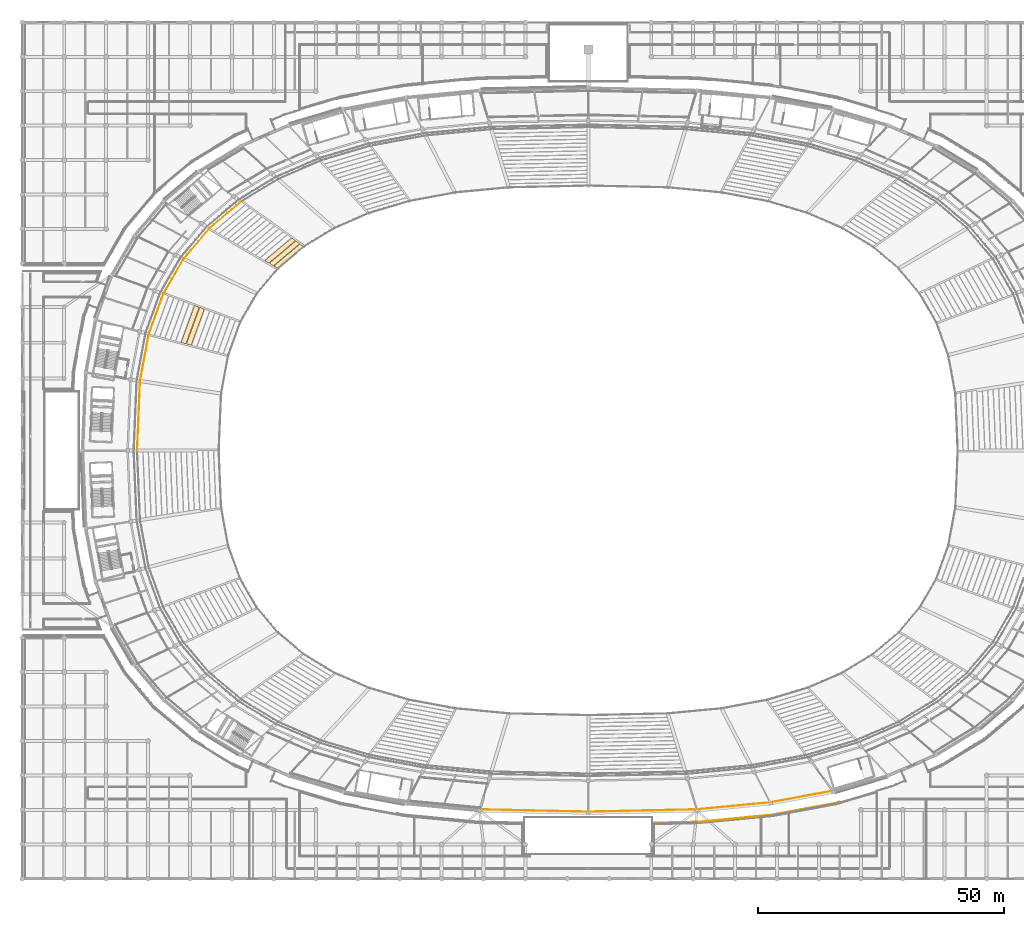
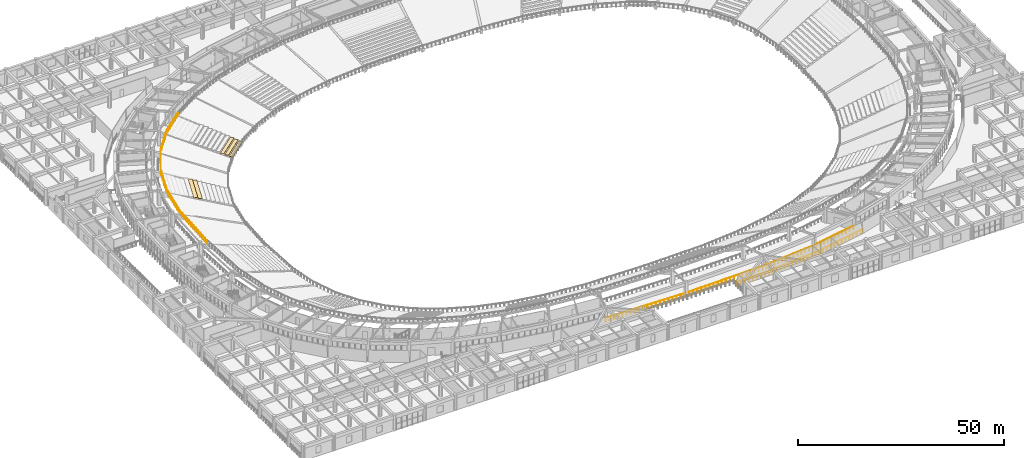
# One storey, part 123 of 137: 5 coverings, 3 railings.
"""IFC4 building model written with IfcOpenShell, lengths in metres."""

from ifc_helpers import new_model, si_unit, direction, frame, origin, origin_2d, place, context, subcontext, project, spatial, polyline, circle, outline, extrude, material, layer, layer_set, type_object, element, save


model = new_model("IFC4")

# Units and contexts
model_context = context("Model", 3, precision=1e-05, world=origin(), true_north=direction((0.0, 1.0)))
body_context = subcontext(model_context, "Body", "Model", "MODEL_VIEW")
ifc_project = project(units=[si_unit("LENGTHUNIT", "METRE"), si_unit("AREAUNIT", "SQUARE_METRE"), si_unit("VOLUMEUNIT", "CUBIC_METRE"), si_unit("PLANEANGLEUNIT", "RADIAN"), si_unit("MASSUNIT", "GRAM", prefix="KILO")], contexts=[model_context])

# Site, building, storey
site_placement = place(None, origin())
site = spatial("IfcSite", under=ifc_project, at=site_placement, CompositionType="ELEMENT")
building_placement = place(site_placement, origin())
building = spatial("IfcBuilding", under=site, at=building_placement, Name="Mphavela Belvedere Stadium", CompositionType="ELEMENT")
storey_placement = place(building_placement, frame((0.0, 0.0, 19.199951171875)))
storey = spatial("IfcBuildingStorey", under=building, at=storey_placement, Name="L04", CompositionType="ELEMENT", Elevation=19.199951171875)

# Coverings
ifc_material_1 = material(Name="Precast seating row terrazzo finish", Category="concrete")
ifc_layer = layer(ifc_material_1, 0.1201171875)
ifc_layer_set = layer_set([ifc_layer], Name="Precast seating row terrazzo finish")
covering_type = type_object("IfcCoveringType", Name="COV-SEAT-ROW-U", PredefinedType="FLOORING", material=ifc_layer_set)
covering_1_placement = place(storey_placement, frame((0.0, 0.0, -3.4033203125)))
element("IfcCovering", 1, at=covering_1_placement, inside=storey, type_object=covering_type, Name="Upper stand seating row bench B19-R01", PredefinedType="FLOORING", context=body_context, shape_type="SweptSolid", body=[
    extrude(outline(polyline([(57.201416015625, 128.412353515625), (51.956787109375, 123.986572265625), (51.1025390625, 124.48779296875), (56.418212890625, 128.973388671875), (57.201416015625, 128.412353515625)])), origin(), (0.0, 0.0, 1.0), 0.1201171875),
])
covering_2_placement = place(storey_placement, frame((0.0, 0.0, -2.936767578125)))
element("IfcCovering", 2, at=covering_2_placement, inside=storey, type_object=covering_type, Name="Upper stand seating row bench B19-R02", PredefinedType="FLOORING", context=body_context, shape_type="SweptSolid", body=[
    extrude(outline(polyline([(56.35009765625, 129.022216796875), (51.0283203125, 124.531494140625), (50.174072265625, 125.032470703125), (55.56689453125, 129.58349609375), (56.35009765625, 129.022216796875)])), origin(), (0.0, 0.0, 1.0), 0.1201171875),
])
covering_3_placement = place(storey_placement, frame((0.0, 0.0, -2.469970703125)))
element("IfcCovering", 3, at=covering_3_placement, inside=storey, type_object=covering_type, Name="Upper stand seating row bench B19-R03", PredefinedType="FLOORING", context=body_context, shape_type="SweptSolid", body=[
    extrude(outline(polyline([(55.498779296875, 129.632080078125), (50.099609375, 125.076171875), (49.245361328125, 125.577392578125), (54.7158203125, 130.193359375), (55.498779296875, 129.632080078125)])), origin(), (0.0, 0.0, 1.0), 0.1201171875),
])
covering_4_placement = place(storey_placement, frame((0.0, 0.0, -0.13671875)))
element("IfcCovering", 4, at=covering_4_placement, inside=storey, type_object=covering_type, Name="Upper stand seating row bench B22-R08", PredefinedType="FLOORING", context=body_context, shape_type="SweptSolid", body=[
    extrude(outline(polyline([(36.985107421875, 115.7412109375), (34.3203125, 108.395263671875), (33.3291015625, 108.658203125), (36.02685546875, 116.093994140625), (36.985107421875, 115.7412109375)])), origin(), (0.0, 0.0, 1.0), 0.1201171875),
])
covering_5_placement = place(storey_placement, frame((0.0, 0.0, 0.330078125)))
element("IfcCovering", 5, at=covering_5_placement, inside=storey, type_object=covering_type, Name="Upper stand seating row bench B22-R09", PredefinedType="FLOORING", context=body_context, shape_type="SweptSolid", body=[
    extrude(outline(polyline([(35.943603515625, 116.124755859375), (33.242919921875, 108.680908203125), (32.251953125, 108.94384765625), (34.985107421875, 116.477783203125), (35.943603515625, 116.124755859375)])), origin(), (0.0, 0.0, 1.0), 0.119873046875),
])

# Railings
ifc_material_2 = material(Name="Bronze and laminated glass stadium balustrade", Category="glass")
railing_type = type_object("IfcRailingType", Name="RAL-BALUSTRADE-1120", PredefinedType="BALUSTRADE", material=ifc_material_2)
railing_1_placement = place(storey_placement, frame((92.96875, 14.08251953125, 0.0)))
element("IfcRailing", 6, at=railing_1_placement, inside=storey, type_object=railing_type, Name="South Belvedere terrace outer belvedere balustrade", PredefinedType="BALUSTRADE", context=body_context, shape_type="SweptSolid", body=[
    extrude(circle(Radius=0.02392578125, at=origin_2d()), frame((0.0, 0.0, 1.09619140625), z_axis=(0.999768039934, -0.021537556179, 0.0), x_axis=(0.021537556179, 0.999768039934, 0.0)), (0.0, 0.0, 1.0), 22.036376953125),
    extrude(circle(Radius=0.02392578125, at=origin_2d()), frame((22.03125, -0.474609375, 1.09619140625), z_axis=(0.999768039934, 0.021537556179, 0.0), x_axis=(-0.021537556179, 0.999768039934, 0.0)), (0.0, 0.0, 1.0), 22.036376953125),
    extrude(circle(Radius=0.02392578125, at=origin_2d()), frame((44.0625, 0.0, 1.09619140625), z_axis=(0.995484764268, 0.094921462851, 0.0), x_axis=(-0.094921462851, 0.995484764268, 0.0)), (0.0, 0.0, 1.0), 14.96923828125),
    extrude(circle(Radius=0.02392578125, at=origin_2d()), frame((58.964111328125, 1.4208984375, 1.09619140625), z_axis=(0.983096233582, 0.183089583308, 0.0), x_axis=(-0.183089583308, 0.983096233582, 0.0)), (0.0, 0.0, 1.0), 12.8984375),
    extrude(circle(Radius=0.02099609375, at=origin_2d()), origin(), (0.0, 0.0, 1.0), 1.072021484375),
    extrude(circle(Radius=0.02099609375, at=origin_2d()), frame((1.159423828125, -0.02490234375, 0.0)), (0.0, 0.0, 1.0), 1.072021484375),
    extrude(circle(Radius=0.02099609375, at=origin_2d()), frame((2.319091796875, -0.050048828125, 0.0)), (0.0, 0.0, 1.0), 1.072021484375),
    extrude(circle(Radius=0.02099609375, at=origin_2d()), frame((3.478515625, -0.074951171875, 0.0)), (0.0, 0.0, 1.0), 1.072021484375),
    extrude(circle(Radius=0.02099609375, at=origin_2d()), frame((4.63818359375, -0.099853515625, 0.0)), (0.0, 0.0, 1.0), 1.072021484375),
    extrude(circle(Radius=0.02099609375, at=origin_2d()), frame((5.797607421875, -0.125, 0.0)), (0.0, 0.0, 1.0), 1.072021484375),
    extrude(circle(Radius=0.02099609375, at=origin_2d()), frame((6.957275390625, -0.14990234375, 0.0)), (0.0, 0.0, 1.0), 1.072021484375),
    extrude(circle(Radius=0.02099609375, at=origin_2d()), frame((8.11669921875, -0.1748046875, 0.0)), (0.0, 0.0, 1.0), 1.072021484375),
    extrude(circle(Radius=0.02099609375, at=origin_2d()), frame((9.2763671875, -0.199951171875, 0.0)), (0.0, 0.0, 1.0), 1.072021484375),
    extrude(circle(Radius=0.02099609375, at=origin_2d()), frame((10.435791015625, -0.224853515625, 0.0)), (0.0, 0.0, 1.0), 1.072021484375),
    extrude(circle(Radius=0.02099609375, at=origin_2d()), frame((11.595458984375, -0.249755859375, 0.0)), (0.0, 0.0, 1.0), 1.072021484375),
    extrude(circle(Radius=0.02099609375, at=origin_2d()), frame((12.7548828125, -0.274658203125, 0.0)), (0.0, 0.0, 1.0), 1.072021484375),
    extrude(circle(Radius=0.02099609375, at=origin_2d()), frame((13.91455078125, -0.2998046875, 0.0)), (0.0, 0.0, 1.0), 1.072021484375),
    extrude(circle(Radius=0.02099609375, at=origin_2d()), frame((15.073974609375, -0.32470703125, 0.0)), (0.0, 0.0, 1.0), 1.072021484375),
    extrude(circle(Radius=0.02099609375, at=origin_2d()), frame((16.233642578125, -0.349609375, 0.0)), (0.0, 0.0, 1.0), 1.072021484375),
    extrude(circle(Radius=0.02099609375, at=origin_2d()), frame((17.39306640625, -0.374755859375, 0.0)), (0.0, 0.0, 1.0), 1.072021484375),
    extrude(circle(Radius=0.02099609375, at=origin_2d()), frame((18.552734375, -0.399658203125, 0.0)), (0.0, 0.0, 1.0), 1.072021484375),
    extrude(circle(Radius=0.02099609375, at=origin_2d()), frame((19.712158203125, -0.424560546875, 0.0)), (0.0, 0.0, 1.0), 1.072021484375),
    extrude(circle(Radius=0.02099609375, at=origin_2d()), frame((20.871826171875, -0.44970703125, 0.0)), (0.0, 0.0, 1.0), 1.072021484375),
    extrude(circle(Radius=0.02099609375, at=origin_2d()), frame((22.03125, -0.474609375, 0.0)), (0.0, 0.0, 1.0), 1.072021484375),
    extrude(circle(Radius=0.02099609375, at=origin_2d()), frame((23.190673828125, -0.44970703125, 0.0)), (0.0, 0.0, 1.0), 1.072021484375),
    extrude(circle(Radius=0.02099609375, at=origin_2d()), frame((24.350341796875, -0.424560546875, 0.0)), (0.0, 0.0, 1.0), 1.072021484375),
    extrude(circle(Radius=0.02099609375, at=origin_2d()), frame((25.509765625, -0.399658203125, 0.0)), (0.0, 0.0, 1.0), 1.072021484375),
    extrude(circle(Radius=0.02099609375, at=origin_2d()), frame((26.66943359375, -0.374755859375, 0.0)), (0.0, 0.0, 1.0), 1.072021484375),
    extrude(circle(Radius=0.02099609375, at=origin_2d()), frame((27.828857421875, -0.349609375, 0.0)), (0.0, 0.0, 1.0), 1.072021484375),
    extrude(circle(Radius=0.02099609375, at=origin_2d()), frame((28.988525390625, -0.32470703125, 0.0)), (0.0, 0.0, 1.0), 1.072021484375),
    extrude(circle(Radius=0.02099609375, at=origin_2d()), frame((30.14794921875, -0.2998046875, 0.0)), (0.0, 0.0, 1.0), 1.072021484375),
    extrude(circle(Radius=0.02099609375, at=origin_2d()), frame((31.3076171875, -0.274658203125, 0.0)), (0.0, 0.0, 1.0), 1.072021484375),
    extrude(circle(Radius=0.02099609375, at=origin_2d()), frame((32.467041015625, -0.249755859375, 0.0)), (0.0, 0.0, 1.0), 1.072021484375),
    extrude(circle(Radius=0.02099609375, at=origin_2d()), frame((33.626708984375, -0.224853515625, 0.0)), (0.0, 0.0, 1.0), 1.072021484375),
    extrude(circle(Radius=0.02099609375, at=origin_2d()), frame((34.7861328125, -0.199951171875, 0.0)), (0.0, 0.0, 1.0), 1.072021484375),
    extrude(circle(Radius=0.02099609375, at=origin_2d()), frame((35.94580078125, -0.1748046875, 0.0)), (0.0, 0.0, 1.0), 1.072021484375),
    extrude(circle(Radius=0.02099609375, at=origin_2d()), frame((37.105224609375, -0.14990234375, 0.0)), (0.0, 0.0, 1.0), 1.072021484375),
    extrude(circle(Radius=0.02099609375, at=origin_2d()), frame((38.264892578125, -0.125, 0.0)), (0.0, 0.0, 1.0), 1.072021484375),
    extrude(circle(Radius=0.02099609375, at=origin_2d()), frame((39.42431640625, -0.099853515625, 0.0)), (0.0, 0.0, 1.0), 1.072021484375),
    extrude(circle(Radius=0.02099609375, at=origin_2d()), frame((40.583984375, -0.074951171875, 0.0)), (0.0, 0.0, 1.0), 1.072021484375),
    extrude(circle(Radius=0.02099609375, at=origin_2d()), frame((41.743408203125, -0.050048828125, 0.0)), (0.0, 0.0, 1.0), 1.072021484375),
    extrude(circle(Radius=0.02099609375, at=origin_2d()), frame((42.903076171875, -0.02490234375, 0.0)), (0.0, 0.0, 1.0), 1.072021484375),
    extrude(circle(Radius=0.02099609375, at=origin_2d()), frame((44.0625, 0.0, 0.0)), (0.0, 0.0, 1.0), 1.072021484375),
    extrude(circle(Radius=0.02099609375, at=origin_2d()), frame((45.208740234375, 0.109375, 0.0)), (0.0, 0.0, 1.0), 1.072021484375),
    extrude(circle(Radius=0.02099609375, at=origin_2d()), frame((46.35498046875, 0.218505859375, 0.0)), (0.0, 0.0, 1.0), 1.072021484375),
    extrude(circle(Radius=0.02099609375, at=origin_2d()), frame((47.501220703125, 0.327880859375, 0.0)), (0.0, 0.0, 1.0), 1.072021484375),
    extrude(circle(Radius=0.02099609375, at=origin_2d()), frame((48.647705078125, 0.437255859375, 0.0)), (0.0, 0.0, 1.0), 1.072021484375),
    extrude(circle(Radius=0.02099609375, at=origin_2d()), frame((49.7939453125, 0.54638671875, 0.0)), (0.0, 0.0, 1.0), 1.072021484375),
    extrude(circle(Radius=0.02099609375, at=origin_2d()), frame((50.940185546875, 0.65576171875, 0.0)), (0.0, 0.0, 1.0), 1.072021484375),
    extrude(circle(Radius=0.02099609375, at=origin_2d()), frame((52.08642578125, 0.76513671875, 0.0)), (0.0, 0.0, 1.0), 1.072021484375),
    extrude(circle(Radius=0.02099609375, at=origin_2d()), frame((53.232666015625, 0.87451171875, 0.0)), (0.0, 0.0, 1.0), 1.072021484375),
    extrude(circle(Radius=0.02099609375, at=origin_2d()), frame((54.37890625, 0.983642578125, 0.0)), (0.0, 0.0, 1.0), 1.072021484375),
    extrude(circle(Radius=0.02099609375, at=origin_2d()), frame((55.525390625, 1.093017578125, 0.0)), (0.0, 0.0, 1.0), 1.072021484375),
    extrude(circle(Radius=0.02099609375, at=origin_2d()), frame((56.671630859375, 1.202392578125, 0.0)), (0.0, 0.0, 1.0), 1.072021484375),
    extrude(circle(Radius=0.02099609375, at=origin_2d()), frame((57.81787109375, 1.3115234375, 0.0)), (0.0, 0.0, 1.0), 1.072021484375),
    extrude(circle(Radius=0.02099609375, at=origin_2d()), frame((58.964111328125, 1.4208984375, 0.0)), (0.0, 0.0, 1.0), 1.072021484375),
    extrude(circle(Radius=0.02099609375, at=origin_2d()), frame((60.116943359375, 1.635498046875, 0.0)), (0.0, 0.0, 1.0), 1.072021484375),
    extrude(circle(Radius=0.02099609375, at=origin_2d()), frame((61.26953125, 1.850341796875, 0.0)), (0.0, 0.0, 1.0), 1.072021484375),
    extrude(circle(Radius=0.02099609375, at=origin_2d()), frame((62.42236328125, 2.06494140625, 0.0)), (0.0, 0.0, 1.0), 1.072021484375),
    extrude(circle(Radius=0.02099609375, at=origin_2d()), frame((63.5751953125, 2.279541015625, 0.0)), (0.0, 0.0, 1.0), 1.072021484375),
    extrude(circle(Radius=0.02099609375, at=origin_2d()), frame((64.72802734375, 2.494384765625, 0.0)), (0.0, 0.0, 1.0), 1.072021484375),
    extrude(circle(Radius=0.02099609375, at=origin_2d()), frame((65.880615234375, 2.708984375, 0.0)), (0.0, 0.0, 1.0), 1.072021484375),
    extrude(circle(Radius=0.02099609375, at=origin_2d()), frame((67.033447265625, 2.923828125, 0.0)), (0.0, 0.0, 1.0), 1.072021484375),
    extrude(circle(Radius=0.02099609375, at=origin_2d()), frame((68.186279296875, 3.138427734375, 0.0)), (0.0, 0.0, 1.0), 1.072021484375),
    extrude(circle(Radius=0.02099609375, at=origin_2d()), frame((69.339111328125, 3.35302734375, 0.0)), (0.0, 0.0, 1.0), 1.072021484375),
    extrude(circle(Radius=0.02099609375, at=origin_2d()), frame((70.49169921875, 3.56787109375, 0.0)), (0.0, 0.0, 1.0), 1.072021484375),
    extrude(circle(Radius=0.02099609375, at=origin_2d()), frame((71.64453125, 3.782470703125, 0.0)), (0.0, 0.0, 1.0), 1.072021484375),
])
railing_2_placement = place(storey_placement, frame((44.43212890625, 137.5615234375, 3.25)))
element("IfcRailing", 7, at=railing_2_placement, inside=storey, type_object=railing_type, Name="Bowl safety balustrade t2_rear S4", PredefinedType="BALUSTRADE", context=body_context, shape_type="SweptSolid", body=[
    extrude(circle(Radius=0.02392578125, at=origin_2d()), frame((0.0, 0.0, 1.09619140625), z_axis=(-0.764273082573, -0.644892747093, 0.0), x_axis=(0.644892747093, -0.764273082573, 0.0)), (0.0, 0.0, 1.0), 8.378662109375),
    extrude(circle(Radius=0.02392578125, at=origin_2d()), frame((-6.403564453125, -5.4033203125, 1.09619140625), z_axis=(-0.645159856171, -0.764047616308, 0.0), x_axis=(0.764047616308, -0.645159856171, 0.0)), (0.0, 0.0, 1.0), 8.15869140625),
    extrude(circle(Radius=0.02392578125, at=origin_2d()), frame((-11.667236328125, -11.636962890625, 1.09619140625), z_axis=(-0.500551313395, -0.865706868783, 0.0), x_axis=(0.865706868783, -0.500551313395, 0.0)), (0.0, 0.0, 1.0), 8.217041015625),
    extrude(circle(Radius=0.02392578125, at=origin_2d()), frame((-15.7802734375, -18.75048828125, 1.09619140625), z_axis=(-0.341024484254, -0.940054413925, 0.0), x_axis=(0.940054413925, -0.341024484254, 0.0)), (0.0, 0.0, 1.0), 8.64892578125),
    extrude(circle(Radius=0.02392578125, at=origin_2d()), frame((-18.729736328125, -26.880859375, 1.09619140625), z_axis=(-0.182637987413, -0.983180230453, 0.0), x_axis=(0.983180230453, -0.182637987413, 0.0)), (0.0, 0.0, 1.0), 9.71826171875),
    extrude(circle(Radius=0.02392578125, at=origin_2d()), frame((-20.504638671875, -36.435546875, 1.09619140625), z_axis=(-0.041909223859, -0.999121422529, 0.0), x_axis=(0.999121422529, -0.041909223859, 0.0)), (0.0, 0.0, 1.0), 14.138427734375),
    extrude(circle(Radius=0.02099609375, at=origin_2d()), origin(), (0.0, 0.0, 1.0), 1.072021484375),
    extrude(circle(Radius=0.02099609375, at=origin_2d()), frame((-0.914794921875, -0.77197265625, 0.0)), (0.0, 0.0, 1.0), 1.072021484375),
    extrude(circle(Radius=0.02099609375, at=origin_2d()), frame((-1.82958984375, -1.543701171875, 0.0)), (0.0, 0.0, 1.0), 1.072021484375),
    extrude(circle(Radius=0.02099609375, at=origin_2d()), frame((-2.744384765625, -2.315673828125, 0.0)), (0.0, 0.0, 1.0), 1.072021484375),
    extrude(circle(Radius=0.02099609375, at=origin_2d()), frame((-3.6591796875, -3.087646484375, 0.0)), (0.0, 0.0, 1.0), 1.072021484375),
    extrude(circle(Radius=0.02099609375, at=origin_2d()), frame((-4.573974609375, -3.859619140625, 0.0)), (0.0, 0.0, 1.0), 1.072021484375),
    extrude(circle(Radius=0.02099609375, at=origin_2d()), frame((-5.48876953125, -4.63134765625, 0.0)), (0.0, 0.0, 1.0), 1.072021484375),
    extrude(circle(Radius=0.02099609375, at=origin_2d()), frame((-6.403564453125, -5.4033203125, 0.0)), (0.0, 0.0, 1.0), 1.072021484375),
    extrude(circle(Radius=0.02099609375, at=origin_2d()), frame((-7.155517578125, -6.2939453125, 0.0)), (0.0, 0.0, 1.0), 1.072021484375),
    extrude(circle(Radius=0.02099609375, at=origin_2d()), frame((-7.907470703125, -7.184326171875, 0.0)), (0.0, 0.0, 1.0), 1.072021484375),
    extrude(circle(Radius=0.02099609375, at=origin_2d()), frame((-8.659423828125, -8.074951171875, 0.0)), (0.0, 0.0, 1.0), 1.072021484375),
    extrude(circle(Radius=0.02099609375, at=origin_2d()), frame((-9.411376953125, -8.96533203125, 0.0)), (0.0, 0.0, 1.0), 1.072021484375),
    extrude(circle(Radius=0.02099609375, at=origin_2d()), frame((-10.163330078125, -9.85595703125, 0.0)), (0.0, 0.0, 1.0), 1.072021484375),
    extrude(circle(Radius=0.02099609375, at=origin_2d()), frame((-10.915283203125, -10.746337890625, 0.0)), (0.0, 0.0, 1.0), 1.072021484375),
    extrude(circle(Radius=0.02099609375, at=origin_2d()), frame((-11.667236328125, -11.636962890625, 0.0)), (0.0, 0.0, 1.0), 1.072021484375),
    extrude(circle(Radius=0.02099609375, at=origin_2d()), frame((-12.2548828125, -12.653076171875, 0.0)), (0.0, 0.0, 1.0), 1.072021484375),
    extrude(circle(Radius=0.02099609375, at=origin_2d()), frame((-12.84228515625, -13.66943359375, 0.0)), (0.0, 0.0, 1.0), 1.072021484375),
    extrude(circle(Radius=0.02099609375, at=origin_2d()), frame((-13.429931640625, -14.685546875, 0.0)), (0.0, 0.0, 1.0), 1.072021484375),
    extrude(circle(Radius=0.02099609375, at=origin_2d()), frame((-14.017578125, -15.701904296875, 0.0)), (0.0, 0.0, 1.0), 1.072021484375),
    extrude(circle(Radius=0.02099609375, at=origin_2d()), frame((-14.605224609375, -16.718017578125, 0.0)), (0.0, 0.0, 1.0), 1.072021484375),
    extrude(circle(Radius=0.02099609375, at=origin_2d()), frame((-15.192626953125, -17.734375, 0.0)), (0.0, 0.0, 1.0), 1.072021484375),
    extrude(circle(Radius=0.02099609375, at=origin_2d()), frame((-15.7802734375, -18.75048828125, 0.0)), (0.0, 0.0, 1.0), 1.072021484375),
    extrude(circle(Radius=0.02099609375, at=origin_2d()), frame((-16.14892578125, -19.766845703125, 0.0)), (0.0, 0.0, 1.0), 1.072021484375),
    extrude(circle(Radius=0.02099609375, at=origin_2d()), frame((-16.517578125, -20.783203125, 0.0)), (0.0, 0.0, 1.0), 1.072021484375),
    extrude(circle(Radius=0.02099609375, at=origin_2d()), frame((-16.88623046875, -21.79931640625, 0.0)), (0.0, 0.0, 1.0), 1.072021484375),
    extrude(circle(Radius=0.02099609375, at=origin_2d()), frame((-17.2548828125, -22.815673828125, 0.0)), (0.0, 0.0, 1.0), 1.072021484375),
    extrude(circle(Radius=0.02099609375, at=origin_2d()), frame((-17.623779296875, -23.83203125, 0.0)), (0.0, 0.0, 1.0), 1.072021484375),
    extrude(circle(Radius=0.02099609375, at=origin_2d()), frame((-17.992431640625, -24.84814453125, 0.0)), (0.0, 0.0, 1.0), 1.072021484375),
    extrude(circle(Radius=0.02099609375, at=origin_2d()), frame((-18.361083984375, -25.864501953125, 0.0)), (0.0, 0.0, 1.0), 1.072021484375),
    extrude(circle(Radius=0.02099609375, at=origin_2d()), frame((-18.729736328125, -26.880859375, 0.0)), (0.0, 0.0, 1.0), 1.072021484375),
    extrude(circle(Radius=0.02099609375, at=origin_2d()), frame((-18.927001953125, -27.9423828125, 0.0)), (0.0, 0.0, 1.0), 1.072021484375),
    extrude(circle(Radius=0.02099609375, at=origin_2d()), frame((-19.124267578125, -29.004150390625, 0.0)), (0.0, 0.0, 1.0), 1.072021484375),
    extrude(circle(Radius=0.02099609375, at=origin_2d()), frame((-19.3212890625, -30.065673828125, 0.0)), (0.0, 0.0, 1.0), 1.072021484375),
    extrude(circle(Radius=0.02099609375, at=origin_2d()), frame((-19.5185546875, -31.12744140625, 0.0)), (0.0, 0.0, 1.0), 1.072021484375),
    extrude(circle(Radius=0.02099609375, at=origin_2d()), frame((-19.7158203125, -32.18896484375, 0.0)), (0.0, 0.0, 1.0), 1.072021484375),
    extrude(circle(Radius=0.02099609375, at=origin_2d()), frame((-19.9130859375, -33.250732421875, 0.0)), (0.0, 0.0, 1.0), 1.072021484375),
    extrude(circle(Radius=0.02099609375, at=origin_2d()), frame((-20.110107421875, -34.312255859375, 0.0)), (0.0, 0.0, 1.0), 1.072021484375),
    extrude(circle(Radius=0.02099609375, at=origin_2d()), frame((-20.307373046875, -35.3740234375, 0.0)), (0.0, 0.0, 1.0), 1.072021484375),
    extrude(circle(Radius=0.02099609375, at=origin_2d()), frame((-20.504638671875, -36.435546875, 0.0)), (0.0, 0.0, 1.0), 1.072021484375),
    extrude(circle(Radius=0.02099609375, at=origin_2d()), frame((-20.553955078125, -37.61279296875, 0.0)), (0.0, 0.0, 1.0), 1.072021484375),
    extrude(circle(Radius=0.02099609375, at=origin_2d()), frame((-20.603515625, -38.789794921875, 0.0)), (0.0, 0.0, 1.0), 1.072021484375),
    extrude(circle(Radius=0.02099609375, at=origin_2d()), frame((-20.65283203125, -39.967041015625, 0.0)), (0.0, 0.0, 1.0), 1.072021484375),
    extrude(circle(Radius=0.02099609375, at=origin_2d()), frame((-20.7021484375, -41.144287109375, 0.0)), (0.0, 0.0, 1.0), 1.072021484375),
    extrude(circle(Radius=0.02099609375, at=origin_2d()), frame((-20.75146484375, -42.3212890625, 0.0)), (0.0, 0.0, 1.0), 1.072021484375),
    extrude(circle(Radius=0.02099609375, at=origin_2d()), frame((-20.80078125, -43.49853515625, 0.0)), (0.0, 0.0, 1.0), 1.072021484375),
    extrude(circle(Radius=0.02099609375, at=origin_2d()), frame((-20.850341796875, -44.67578125, 0.0)), (0.0, 0.0, 1.0), 1.072021484375),
    extrude(circle(Radius=0.02099609375, at=origin_2d()), frame((-20.899658203125, -45.852783203125, 0.0)), (0.0, 0.0, 1.0), 1.072021484375),
    extrude(circle(Radius=0.02099609375, at=origin_2d()), frame((-20.948974609375, -47.030029296875, 0.0)), (0.0, 0.0, 1.0), 1.072021484375),
    extrude(circle(Radius=0.02099609375, at=origin_2d()), frame((-20.99853515625, -48.207275390625, 0.0)), (0.0, 0.0, 1.0), 1.072021484375),
    extrude(circle(Radius=0.02099609375, at=origin_2d()), frame((-21.0478515625, -49.38427734375, 0.0)), (0.0, 0.0, 1.0), 1.072021484375),
    extrude(circle(Radius=0.02099609375, at=origin_2d()), frame((-21.09716796875, -50.5615234375, 0.0)), (0.0, 0.0, 1.0), 1.072021484375),
])
railing_3_placement = place(storey_placement, frame((128.280029296875, 11.33544921875, 0.0)))
element("IfcRailing", 8, at=railing_3_placement, inside=storey, type_object=railing_type, Name="Peristyle wing gallery edge balustrade L04-05", PredefinedType="BALUSTRADE", context=body_context, shape_type="SweptSolid", body=[
    extrude(circle(Radius=0.02392578125, at=origin_2d()), frame((0.0, 0.0, 1.09619140625), z_axis=(0.999754122282, 0.022174196285, 0.0), x_axis=(-0.022174196285, 0.999754122282, 0.0)), (0.0, 0.0, 1.0), 9.05029296875),
    extrude(circle(Radius=0.02392578125, at=origin_2d()), frame((9.048095703125, 0.20068359375, 1.09619140625), z_axis=(0.995483637339, 0.094933280733, 0.0), x_axis=(-0.094933280733, 0.995483637339, 0.0)), (0.0, 0.0, 1.0), 15.029052734375),
    extrude(circle(Radius=0.02392578125, at=origin_2d()), frame((24.00927734375, 1.62744140625, 1.09619140625), z_axis=(0.983218910266, 0.18242964259, 0.0), x_axis=(-0.18242964259, 0.983218910266, 0.0)), (0.0, 0.0, 1.0), 13.14990234375),
    extrude(circle(Radius=0.02392578125, at=origin_2d()), frame((36.9384765625, 4.0263671875, 1.09619140625), z_axis=(0.962491054974, 0.271313414882, 0.0), x_axis=(-0.271313414882, 0.962491054974, 0.0)), (0.0, 0.0, 1.0), 0.908935546875),
    extrude(circle(Radius=0.02099609375, at=origin_2d()), origin(), (0.0, 0.0, 1.0), 1.072021484375),
    extrude(circle(Radius=0.02099609375, at=origin_2d()), frame((1.131103515625, 0.025146484375, 0.0)), (0.0, 0.0, 1.0), 1.072021484375),
    extrude(circle(Radius=0.02099609375, at=origin_2d()), frame((2.261962890625, 0.05029296875, 0.0)), (0.0, 0.0, 1.0), 1.072021484375),
    extrude(circle(Radius=0.02099609375, at=origin_2d()), frame((3.39306640625, 0.0751953125, 0.0)), (0.0, 0.0, 1.0), 1.072021484375),
    extrude(circle(Radius=0.02099609375, at=origin_2d()), frame((4.52392578125, 0.100341796875, 0.0)), (0.0, 0.0, 1.0), 1.072021484375),
    extrude(circle(Radius=0.02099609375, at=origin_2d()), frame((5.655029296875, 0.12548828125, 0.0)), (0.0, 0.0, 1.0), 1.072021484375),
    extrude(circle(Radius=0.02099609375, at=origin_2d()), frame((6.7861328125, 0.150390625, 0.0)), (0.0, 0.0, 1.0), 1.072021484375),
    extrude(circle(Radius=0.02099609375, at=origin_2d()), frame((7.9169921875, 0.175537109375, 0.0)), (0.0, 0.0, 1.0), 1.072021484375),
    extrude(circle(Radius=0.02099609375, at=origin_2d()), frame((9.048095703125, 0.20068359375, 0.0)), (0.0, 0.0, 1.0), 1.072021484375),
    extrude(circle(Radius=0.02099609375, at=origin_2d()), frame((10.198974609375, 0.310546875, 0.0)), (0.0, 0.0, 1.0), 1.072021484375),
    extrude(circle(Radius=0.02099609375, at=origin_2d()), frame((11.349853515625, 0.420166015625, 0.0)), (0.0, 0.0, 1.0), 1.072021484375),
    extrude(circle(Radius=0.02099609375, at=origin_2d()), frame((12.500732421875, 0.530029296875, 0.0)), (0.0, 0.0, 1.0), 1.072021484375),
    extrude(circle(Radius=0.02099609375, at=origin_2d()), frame((13.651611328125, 0.6396484375, 0.0)), (0.0, 0.0, 1.0), 1.072021484375),
    extrude(circle(Radius=0.02099609375, at=origin_2d()), frame((14.802490234375, 0.74951171875, 0.0)), (0.0, 0.0, 1.0), 1.072021484375),
    extrude(circle(Radius=0.02099609375, at=origin_2d()), frame((15.953369140625, 0.859130859375, 0.0)), (0.0, 0.0, 1.0), 1.072021484375),
    extrude(circle(Radius=0.02099609375, at=origin_2d()), frame((17.10400390625, 0.968994140625, 0.0)), (0.0, 0.0, 1.0), 1.072021484375),
    extrude(circle(Radius=0.02099609375, at=origin_2d()), frame((18.2548828125, 1.07861328125, 0.0)), (0.0, 0.0, 1.0), 1.072021484375),
    extrude(circle(Radius=0.02099609375, at=origin_2d()), frame((19.40576171875, 1.1884765625, 0.0)), (0.0, 0.0, 1.0), 1.072021484375),
    extrude(circle(Radius=0.02099609375, at=origin_2d()), frame((20.556640625, 1.298095703125, 0.0)), (0.0, 0.0, 1.0), 1.072021484375),
    extrude(circle(Radius=0.02099609375, at=origin_2d()), frame((21.70751953125, 1.407958984375, 0.0)), (0.0, 0.0, 1.0), 1.072021484375),
    extrude(circle(Radius=0.02099609375, at=origin_2d()), frame((22.8583984375, 1.517578125, 0.0)), (0.0, 0.0, 1.0), 1.072021484375),
    extrude(circle(Radius=0.02099609375, at=origin_2d()), frame((24.00927734375, 1.62744140625, 0.0)), (0.0, 0.0, 1.0), 1.072021484375),
    extrude(circle(Radius=0.02099609375, at=origin_2d()), frame((25.1845703125, 1.845458984375, 0.0)), (0.0, 0.0, 1.0), 1.072021484375),
    extrude(circle(Radius=0.02099609375, at=origin_2d()), frame((26.360107421875, 2.063720703125, 0.0)), (0.0, 0.0, 1.0), 1.072021484375),
    extrude(circle(Radius=0.02099609375, at=origin_2d()), frame((27.535400390625, 2.28173828125, 0.0)), (0.0, 0.0, 1.0), 1.072021484375),
    extrude(circle(Radius=0.02099609375, at=origin_2d()), frame((28.710693359375, 2.499755859375, 0.0)), (0.0, 0.0, 1.0), 1.072021484375),
    extrude(circle(Radius=0.02099609375, at=origin_2d()), frame((29.88623046875, 2.7177734375, 0.0)), (0.0, 0.0, 1.0), 1.072021484375),
    extrude(circle(Radius=0.02099609375, at=origin_2d()), frame((31.0615234375, 2.93603515625, 0.0)), (0.0, 0.0, 1.0), 1.072021484375),
    extrude(circle(Radius=0.02099609375, at=origin_2d()), frame((32.237060546875, 3.154052734375, 0.0)), (0.0, 0.0, 1.0), 1.072021484375),
    extrude(circle(Radius=0.02099609375, at=origin_2d()), frame((33.412353515625, 3.3720703125, 0.0)), (0.0, 0.0, 1.0), 1.072021484375),
    extrude(circle(Radius=0.02099609375, at=origin_2d()), frame((34.587646484375, 3.590087890625, 0.0)), (0.0, 0.0, 1.0), 1.072021484375),
    extrude(circle(Radius=0.02099609375, at=origin_2d()), frame((35.76318359375, 3.808349609375, 0.0)), (0.0, 0.0, 1.0), 1.072021484375),
    extrude(circle(Radius=0.02099609375, at=origin_2d()), frame((36.9384765625, 4.0263671875, 0.0)), (0.0, 0.0, 1.0), 1.072021484375),
    extrude(circle(Radius=0.02099609375, at=origin_2d()), frame((37.813232421875, 4.27294921875, 0.0)), (0.0, 0.0, 1.0), 1.072021484375),
])

save(model, "model.ifc")
